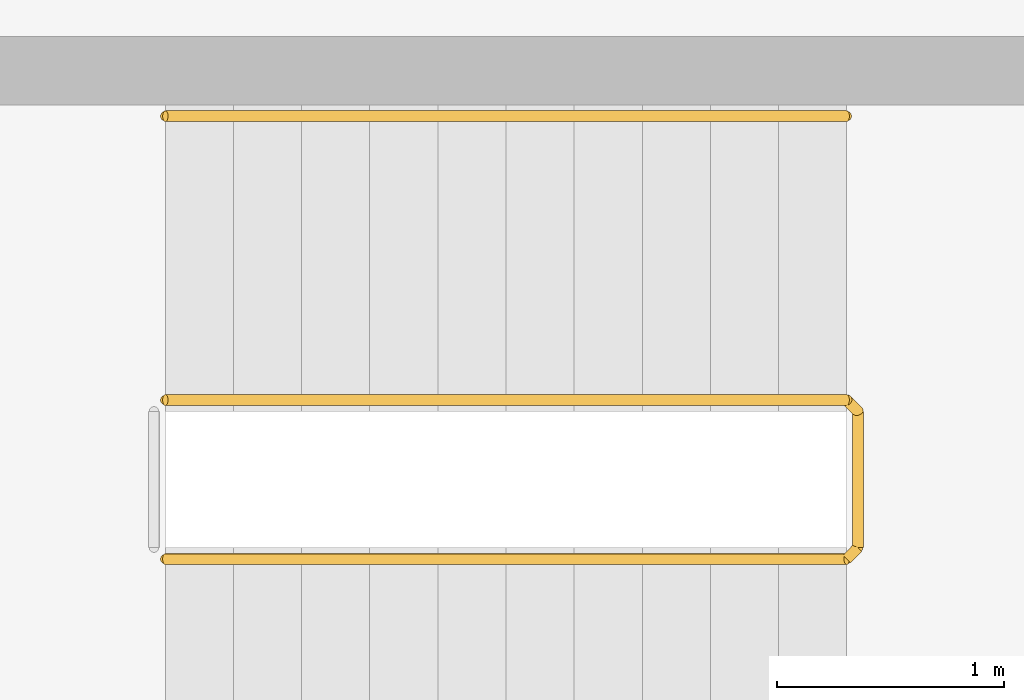
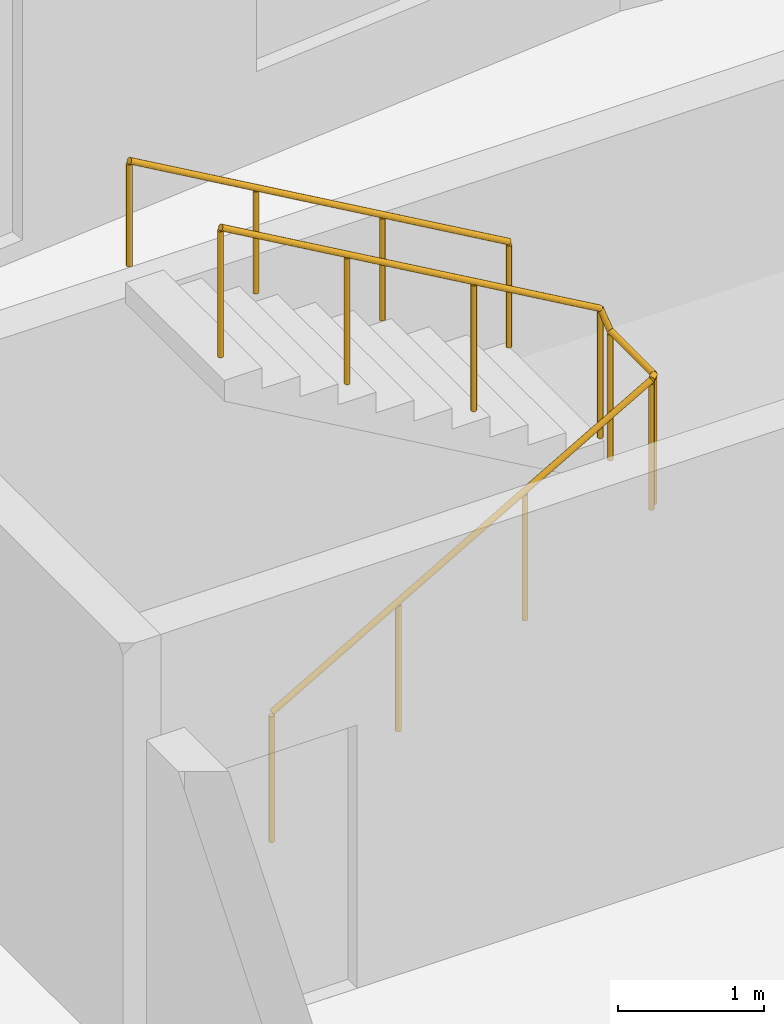
# One storey, part 10 of 10: 2 railings.
"""IFC4 building model written with IfcOpenShell, lengths in metres."""

from ifc_helpers import new_model, si_unit, direction, frame, origin, origin_2d, place, context, subcontext, project, spatial, circle, extrude, material, type_object, element, save


model = new_model("IFC4")

# Units and contexts
model_context = context("Model", 3, precision=1e-05, world=origin(), true_north=direction((0.0, 1.0)))
body_context = subcontext(model_context, "Body", "Model", "MODEL_VIEW")
ifc_project = project(units=[si_unit("LENGTHUNIT", "METRE"), si_unit("AREAUNIT", "SQUARE_METRE"), si_unit("VOLUMEUNIT", "CUBIC_METRE"), si_unit("PLANEANGLEUNIT", "RADIAN"), si_unit("MASSUNIT", "GRAM", prefix="KILO")], contexts=[model_context])

# Site, building, storey
site_placement = place(None, origin())
site = spatial("IfcSite", under=ifc_project, at=site_placement, CompositionType="ELEMENT")
building_placement = place(site_placement, origin())
building = spatial("IfcBuilding", under=site, at=building_placement, Name="Brondeck Convention Tower", CompositionType="ELEMENT")
storey_placement = place(building_placement, frame((0.0, 0.0, 147.199951171875)))
storey = spatial("IfcBuildingStorey", under=building, at=storey_placement, Name="L35", CompositionType="ELEMENT", Elevation=147.199951171875)

# Railings
ifc_material = material(Name="Steel S355", Category="steel")
railing_type_1 = type_object("IfcRailingType", Name="Stair guard 1100", PredefinedType="GUARDRAIL", material=ifc_material)
railing_1_placement = place(storey_placement, frame((37.85009765625, 55.449951171875, 0.1728515625)))
element("IfcRailing", 1, at=railing_1_placement, inside=storey, type_object=railing_type_1, Name="L35 ST-AE stair guard 1", PredefinedType="GUARDRAIL", context=body_context, shape_type="SweptSolid", body=[
    extrude(circle(Radius=0.02392578125, at=origin_2d()), frame((0.0, 0.0, 1.076171875), z_axis=(0.866619684472, 0.0, 0.498969260062), x_axis=(0.0, 1.0, 0.0)), (0.0, 0.0, 1.0), 3.461669921875),
    extrude(circle(Radius=0.02392578125, at=origin_2d()), frame((3.0, 0.0, 2.80322265625), z_axis=(0.705375805398, 0.708833529934, 0.0), x_axis=(-0.708833529934, 0.705375805398, 0.0)), (0.0, 0.0, 1.0), 0.070556640625),
    extrude(circle(Radius=0.02392578125, at=origin_2d()), frame((3.0498046875, 0.050048828125, 2.80322265625), z_axis=(0.0, 1.0, 0.0), x_axis=(-1.0, 0.0, 0.0)), (0.0, 0.0, 1.0), 0.60009765625),
    extrude(circle(Radius=0.02392578125, at=origin_2d()), frame((3.0498046875, 0.650146484375, 2.80322265625), z_axis=(-0.26715648603, 0.26715648603, 0.925880566782), x_axis=(-0.707106781187, -0.707106781187, 0.0)), (0.0, 0.0, 1.0), 0.1865234375),
    extrude(circle(Radius=0.02392578125, at=origin_2d()), frame((3.0, 0.699951171875, 2.97607421875), z_axis=(-0.866619684472, 0.0, 0.498969260062), x_axis=(0.0, -1.0, 0.0)), (0.0, 0.0, 1.0), 3.461669921875),
    extrude(circle(Radius=0.02099609375, at=origin_2d()), origin(), (0.0, 0.0, 1.0), 1.052001953125),
    extrude(circle(Radius=0.02099609375, at=origin_2d()), frame((1.0, 0.0, 0.57568359375)), (0.0, 0.0, 1.0), 1.052001953125),
    extrude(circle(Radius=0.02099609375, at=origin_2d()), frame((2.0, 0.0, 1.151611328125)), (0.0, 0.0, 1.0), 1.052001953125),
    extrude(circle(Radius=0.02099609375, at=origin_2d()), frame((3.0, 0.0, 1.727294921875)), (0.0, 0.0, 1.0), 1.052001953125),
    extrude(circle(Radius=0.02099609375, at=origin_2d()), frame((3.0498046875, 0.050048828125, 1.727294921875)), (0.0, 0.0, 1.0), 1.052001953125),
    extrude(circle(Radius=0.02099609375, at=origin_2d()), frame((3.0498046875, 0.650146484375, 1.727294921875)), (0.0, 0.0, 1.0), 1.052001953125),
    extrude(circle(Radius=0.02099609375, at=origin_2d()), frame((3.0, 0.699951171875, 1.89990234375)), (0.0, 0.0, 1.0), 1.052001953125),
    extrude(circle(Radius=0.02099609375, at=origin_2d()), frame((2.0, 0.699951171875, 2.4755859375)), (0.0, 0.0, 1.0), 1.052001953125),
    extrude(circle(Radius=0.02099609375, at=origin_2d()), frame((1.0, 0.699951171875, 3.051513671875)), (0.0, 0.0, 1.0), 1.052001953125),
    extrude(circle(Radius=0.02099609375, at=origin_2d()), frame((0.0, 0.699951171875, 3.627197265625)), (0.0, 0.0, 1.0), 1.052001953125),
])
railing_type_2 = type_object("IfcRailingType", Name="Stair handrail", PredefinedType="HANDRAIL", material=ifc_material)
railing_2_placement = place(storey_placement, frame((40.85009765625, 57.39990234375, 2.07275390625)))
element("IfcRailing", 2, at=railing_2_placement, inside=storey, type_object=railing_type_2, Name="L35 ST-AE stair handrail 2", PredefinedType="HANDRAIL", context=body_context, shape_type="SweptSolid", body=[
    extrude(circle(Radius=0.02392578125, at=origin_2d()), frame((0.0, 0.0, 0.8759765625), z_axis=(-0.866619684472, 0.0, 0.498969260062), x_axis=(0.0, -1.0, 0.0)), (0.0, 0.0, 1.0), 3.461669921875),
    extrude(circle(Radius=0.02099609375, at=origin_2d()), origin(), (0.0, 0.0, 1.0), 0.851806640625),
    extrude(circle(Radius=0.02099609375, at=origin_2d()), frame((-1.0, 0.0, 0.57568359375)), (0.0, 0.0, 1.0), 0.851806640625),
    extrude(circle(Radius=0.02099609375, at=origin_2d()), frame((-2.0, 0.0, 1.151611328125)), (0.0, 0.0, 1.0), 0.851806640625),
    extrude(circle(Radius=0.02099609375, at=origin_2d()), frame((-3.0, 0.0, 1.727294921875)), (0.0, 0.0, 1.0), 0.851806640625),
])

save(model, "model.ifc")
